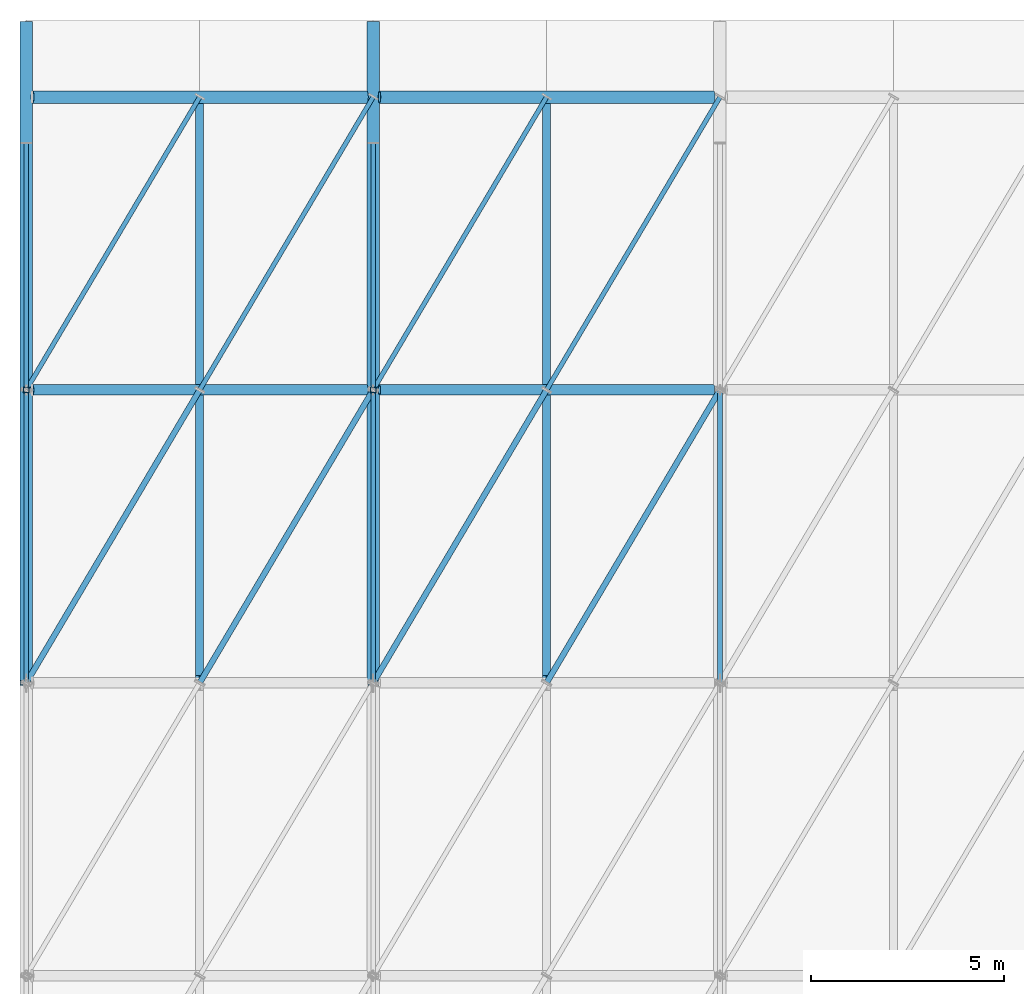
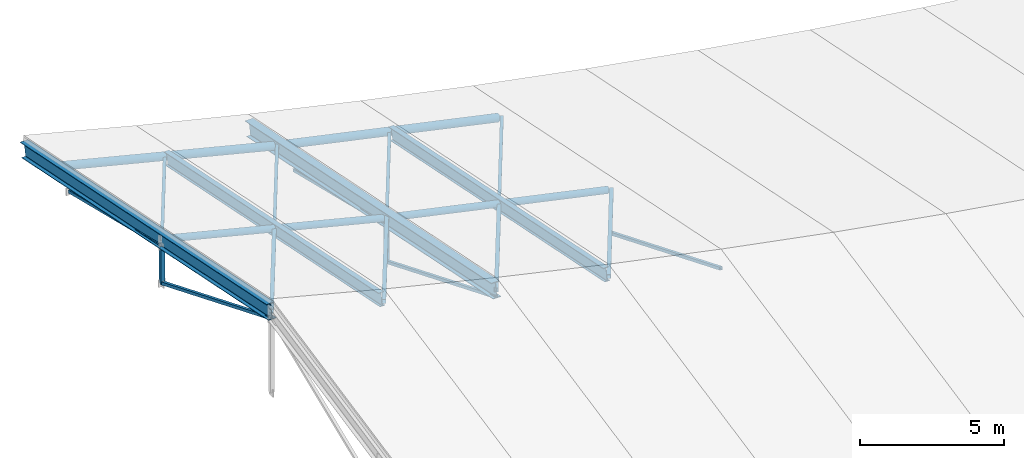
# One storey, part 6 of 21: 15 members, 8 beams.
"""IFC4 building model written with IfcOpenShell, lengths in metres."""

from ifc_helpers import new_model, si_unit, direction, frame, origin, origin_2d, place, context, subcontext, project, spatial, hollow_rectangle, hollow_circle, i_section, extrude, material, material_profile, profile_set, type_object, element, save


model = new_model("IFC4")

# Units and contexts
model_context = context("Model", 3, precision=1e-05, world=origin(), true_north=direction((0.0, 1.0)))
body_context = subcontext(model_context, "Body", "Model", "MODEL_VIEW")
ifc_project = project(units=[si_unit("LENGTHUNIT", "METRE"), si_unit("AREAUNIT", "SQUARE_METRE"), si_unit("VOLUMEUNIT", "CUBIC_METRE"), si_unit("PLANEANGLEUNIT", "RADIAN"), si_unit("MASSUNIT", "GRAM", prefix="KILO")], contexts=[model_context])

# Site, building, storey
site_placement = place(None, origin())
site = spatial("IfcSite", under=ifc_project, at=site_placement, CompositionType="ELEMENT")
building_placement = place(site_placement, origin())
building = spatial("IfcBuilding", under=site, at=building_placement, Name="Caisbarro Railhouse Central Library", CompositionType="ELEMENT")
storey_placement = place(building_placement, frame((0.0, 0.0, 26.639892578125)))
storey = spatial("IfcBuildingStorey", under=building, at=storey_placement, Name="RF", CompositionType="ELEMENT", Elevation=26.639892578125)

# Beams
ifc_material = material(Name="Steel ASTM A572 Grade 50", Category="steel")
ifc_material_profile_1 = material_profile(ifc_material, i_section(OverallWidth=0.324951171875, OverallDepth=0.615966796875, WebThickness=0.013916015625, FlangeThickness=0.021484375, FilletRadius=0.02197265625, at=origin_2d()), Name="W610X174.0")
ifc_profile_set_1 = profile_set([ifc_material_profile_1], Name="Steel ASTM A572 Grade 50")
beam_type_1 = type_object("IfcBeamType", Name="BM-G02", PredefinedType="BEAM", material=ifc_profile_set_1)
for number, where, z_axis, x_axis, name in (
    (1, (0.0, 45.60009765625, 2.39013671875), (0.0, 0.979828942298, -0.199838044013), (-1.0, 0.0, 0.0), "V1 Gridshell North Rafter X=0"),
    (2, (9.0, 45.60009765625, 0.14013671875), (0.0, 0.979828942298, -0.199838044013), (-1.0, 0.0, 0.0), "V1 Gridshell North Rafter X=9"),
):
    element("IfcBeam", number, at=place(storey_placement, frame(where, z_axis=z_axis, x_axis=x_axis)), inside=storey, type_object=beam_type_1, Name=name, PredefinedType="BEAM", context=body_context, shape_type="SweptSolid", body=[
        extrude(i_section(OverallWidth=0.324951171875, OverallDepth=0.615966796875, WebThickness=0.013916015625, FlangeThickness=0.021484375, FilletRadius=0.02197265625, at=origin_2d()), origin(), (0.0, 0.0, 1.0), 17.451904296875),
    ])
ifc_material_profile_2 = material_profile(ifc_material, i_section(OverallWidth=0.208984375, OverallDepth=0.532958984375, WebThickness=0.01025390625, FlangeThickness=0.015625, FilletRadius=0.02001953125, at=origin_2d()), Name="W530X92.0")
ifc_profile_set_2 = profile_set([ifc_material_profile_2], Name="Steel ASTM A572 Grade 50")
beam_type_2 = type_object("IfcBeamType", Name="BM-G06", PredefinedType="BEAM", material=ifc_profile_set_2)
for number, where, z_axis, x_axis, name in (
    (3, (4.5, 45.739990234375, 1.236572265625), (0.0, 0.979829287426, -0.199836351802), (-1.0, 0.0, 0.0), "V1 Gridshell Secondary Rafter North 1"),
    (4, (13.5, 45.739990234375, -0.863525390625), (0.0, 0.979832431979, -0.19982093294), (-1.0, 0.0, 0.0), "V1 Gridshell Secondary Rafter North 2"),
):
    element("IfcBeam", number, at=place(storey_placement, frame(where, z_axis=z_axis, x_axis=x_axis)), inside=storey, type_object=beam_type_2, Name=name, PredefinedType="BEAM", context=body_context, shape_type="SweptSolid", body=[
        extrude(i_section(OverallWidth=0.208984375, OverallDepth=0.532958984375, WebThickness=0.01025390625, FlangeThickness=0.015625, FilletRadius=0.02001953125, at=origin_2d()), origin(), (0.0, 0.0, 1.0), 15.20166015625),
    ])
ifc_material_profile_3 = material_profile(ifc_material, hollow_circle(Radius=0.161865234375, WallThickness=0.01611328125, at=origin_2d()), Name="CHS323.9X16.0")
ifc_profile_set_3 = profile_set([ifc_material_profile_3], Name="Steel ASTM A572 Grade 50")
beam_type_3 = type_object("IfcBeamType", Name="BM-RB01", PredefinedType="BEAM", material=ifc_profile_set_3)
beam_1_placement = place(storey_placement, frame((0.1650390625, 60.800048828125, -0.751220703125), z_axis=(0.970142500145, 0.0, -0.242535625036), x_axis=(0.0, 1.0, 0.0)))
element("IfcBeam", 5, at=beam_1_placement, inside=storey, type_object=beam_type_3, Name="V1 Gridshell Longitudinal Chord N01", PredefinedType="BEAM", context=body_context, shape_type="SweptSolid", body=[
    extrude(hollow_circle(Radius=0.161865234375, WallThickness=0.01611328125, at=origin_2d()), origin(), (0.0, 0.0, 1.0), 8.936767578125),
])
beam_2_placement = place(storey_placement, frame((9.1650390625, 60.800048828125, -2.99560546875), z_axis=(0.977324658803, 0.0, -0.211746337149), x_axis=(0.0, 1.0, 0.0)))
element("IfcBeam", 6, at=beam_2_placement, inside=storey, type_object=beam_type_3, Name="V1 Gridshell Longitudinal Chord N02", PredefinedType="BEAM", context=body_context, shape_type="SweptSolid", body=[
    extrude(hollow_circle(Radius=0.161865234375, WallThickness=0.01611328125, at=origin_2d()), origin(), (0.0, 0.0, 1.0), 8.87109375),
])
ifc_material_profile_4 = material_profile(ifc_material, hollow_circle(Radius=0.136474609375, WallThickness=0.012451171875, at=origin_2d()), Name="CHS273.0X12.5")
ifc_profile_set_4 = profile_set([ifc_material_profile_4], Name="Steel ASTM A572 Grade 50")
beam_type_4 = type_object("IfcBeamType", Name="BM-RB02", PredefinedType="BEAM", material=ifc_profile_set_4)
beam_3_placement = place(storey_placement, frame((0.1650390625, 53.199951171875, 0.798828125), z_axis=(0.970142500145, 0.0, -0.242535625036), x_axis=(0.0, 1.0, 0.0)))
element("IfcBeam", 7, at=beam_3_placement, inside=storey, type_object=beam_type_4, Name="V1 Gridshell Longitudinal Chord Q201", PredefinedType="BEAM", context=body_context, shape_type="SweptSolid", body=[
    extrude(hollow_circle(Radius=0.136474609375, WallThickness=0.012451171875, at=origin_2d()), origin(), (0.0, 0.0, 1.0), 8.936767578125),
])
beam_4_placement = place(storey_placement, frame((9.1650390625, 53.199951171875, -1.445556640625), z_axis=(0.977324658803, 0.0, -0.211746337149), x_axis=(0.0, 1.0, 0.0)))
element("IfcBeam", 8, at=beam_4_placement, inside=storey, type_object=beam_type_4, Name="V1 Gridshell Longitudinal Chord Q202", PredefinedType="BEAM", context=body_context, shape_type="SweptSolid", body=[
    extrude(hollow_circle(Radius=0.136474609375, WallThickness=0.012451171875, at=origin_2d()), origin(), (0.0, 0.0, 1.0), 8.87109375),
])

# Members
ifc_material_profile_5 = material_profile(ifc_material, hollow_rectangle(XDim=0.14990234375, YDim=0.14990234375, WallThickness=0.010009765625, at=origin_2d()), Name="HSS150X150X10")
ifc_profile_set_5 = profile_set([ifc_material_profile_5], Name="Steel ASTM A572 Grade 50")
member_type_1 = type_object("IfcMemberType", Name="MEM-GS01", PredefinedType="STRUT", material=ifc_profile_set_5)
for number, where, z_axis, x_axis, name in (
    (9, (0.0, 53.199951171875, -1.0078125), (0.0, 0.0, 1.0), (1.0, 0.0, 0.0), "V1 Gridshell QPN Strut 1"),
    (10, (9.0, 53.199951171875, -3.2578125), (0.0, 0.0, 1.0), (1.0, 0.0, 0.0), "V1 Gridshell QPN Strut 2"),
):
    element("IfcMember", number, at=place(storey_placement, frame(where, z_axis=z_axis, x_axis=x_axis)), inside=storey, type_object=member_type_1, Name=name, PredefinedType="STRUT", context=body_context, shape_type="SweptSolid", body=[
        extrude(hollow_rectangle(XDim=0.14990234375, YDim=0.14990234375, WallThickness=0.010009765625, at=origin_2d()), origin(), (0.0, 0.0, 1.0), 1.56494140625),
    ])
member_1_placement = place(storey_placement, frame((0.0, 45.60009765625, 2.39013671875), z_axis=(0.48704543472, 0.822549768738, -0.293596019161), x_axis=(-0.860471083771, 0.509499277717, 0.0)))
element("IfcMember", 11, at=member_1_placement, inside=storey, type_object=member_type_1, Name="V1 Gridshell Diagonal Strut 3", PredefinedType="STRUT", context=body_context, shape_type="SweptSolid", body=[
    extrude(hollow_rectangle(XDim=0.14990234375, YDim=0.14990234375, WallThickness=0.010009765625, at=origin_2d()), origin(), (0.0, 0.0, 1.0), 9.239501953125),
])
member_2_placement = place(storey_placement, frame((4.5, 45.60009765625, 1.2275390625), z_axis=(0.488197147599, 0.824494846333, -0.286132475343), x_axis=(-0.860471083771, 0.509499277717, 0.0)))
element("IfcMember", 12, at=member_2_placement, inside=storey, type_object=member_type_1, Name="V1 Gridshell Diagonal Strut 7", PredefinedType="STRUT", context=body_context, shape_type="SweptSolid", body=[
    extrude(hollow_rectangle(XDim=0.14990234375, YDim=0.14990234375, WallThickness=0.010009765625, at=origin_2d()), origin(), (0.0, 0.0, 1.0), 9.217529296875),
])
member_3_placement = place(storey_placement, frame((9.0, 45.60009765625, 0.14013671875), z_axis=(0.489320731905, 0.826392418808, -0.278640972335), x_axis=(-0.860471083771, 0.509499277717, 0.0)))
element("IfcMember", 13, at=member_3_placement, inside=storey, type_object=member_type_1, Name="V1 Gridshell Diagonal Strut 11", PredefinedType="STRUT", context=body_context, shape_type="SweptSolid", body=[
    extrude(hollow_rectangle(XDim=0.14990234375, YDim=0.14990234375, WallThickness=0.010009765625, at=origin_2d()), origin(), (0.0, 0.0, 1.0), 9.196533203125),
])
member_4_placement = place(storey_placement, frame((13.5, 45.60009765625, -0.872314453125), z_axis=(0.490419384981, 0.828247886018, -0.2710982592), x_axis=(-0.860471083771, 0.509499277717, 0.0)))
element("IfcMember", 14, at=member_4_placement, inside=storey, type_object=member_type_1, Name="V1 Gridshell Diagonal Strut 15", PredefinedType="STRUT", context=body_context, shape_type="SweptSolid", body=[
    extrude(hollow_rectangle(XDim=0.14990234375, YDim=0.14990234375, WallThickness=0.010009765625, at=origin_2d()), origin(), (0.0, 0.0, 1.0), 9.17578125),
])
ifc_material_profile_6 = material_profile(ifc_material, hollow_rectangle(XDim=0.1201171875, YDim=0.1201171875, WallThickness=0.008056640625, at=origin_2d()), Name="HSS120X120X8")
ifc_profile_set_6 = profile_set([ifc_material_profile_6], Name="Steel ASTM A572 Grade 50")
member_type_2 = type_object("IfcMemberType", Name="MEM-GS02", PredefinedType="STRUT", material=ifc_profile_set_6)
member_5_placement = place(storey_placement, frame((0.0, 59.60009765625, -1.0078125), z_axis=(0.0, -0.971382859831, 0.237519135286), x_axis=(1.0, 0.0, 0.0)))
element("IfcMember", 15, at=member_5_placement, inside=storey, type_object=member_type_2, Name="V1 Gridshell Truss Web DN1 1", PredefinedType="STRUT", context=body_context, shape_type="SweptSolid", body=[
    extrude(hollow_rectangle(XDim=0.1201171875, YDim=0.1201171875, WallThickness=0.008056640625, at=origin_2d()), origin(), (0.0, 0.0, 1.0), 6.588623046875),
])
member_6_placement = place(storey_placement, frame((0.0, 53.199951171875, -1.0078125), z_axis=(0.0, -0.925292485077, 0.379254290761), x_axis=(1.0, 0.0, 0.0)))
element("IfcMember", 16, at=member_6_placement, inside=storey, type_object=member_type_2, Name="V1 Gridshell Truss Web DN2 1", PredefinedType="STRUT", context=body_context, shape_type="SweptSolid", body=[
    extrude(hollow_rectangle(XDim=0.1201171875, YDim=0.1201171875, WallThickness=0.008056640625, at=origin_2d()), origin(), (0.0, 0.0, 1.0), 8.21337890625),
])
member_7_placement = place(storey_placement, frame((9.0, 59.60009765625, -3.2578125), z_axis=(0.0, -0.971382859831, 0.237519135286), x_axis=(1.0, 0.0, 0.0)))
element("IfcMember", 17, at=member_7_placement, inside=storey, type_object=member_type_2, Name="V1 Gridshell Truss Web DN1 2", PredefinedType="STRUT", context=body_context, shape_type="SweptSolid", body=[
    extrude(hollow_rectangle(XDim=0.1201171875, YDim=0.1201171875, WallThickness=0.008056640625, at=origin_2d()), origin(), (0.0, 0.0, 1.0), 6.588623046875),
])
member_8_placement = place(storey_placement, frame((9.0, 53.199951171875, -3.2578125), z_axis=(0.0, -0.925292485077, 0.379254290761), x_axis=(1.0, 0.0, 0.0)))
element("IfcMember", 18, at=member_8_placement, inside=storey, type_object=member_type_2, Name="V1 Gridshell Truss Web DN2 2", PredefinedType="STRUT", context=body_context, shape_type="SweptSolid", body=[
    extrude(hollow_rectangle(XDim=0.1201171875, YDim=0.1201171875, WallThickness=0.008056640625, at=origin_2d()), origin(), (0.0, 0.0, 1.0), 8.21337890625),
])
member_9_placement = place(storey_placement, frame((18.0, 53.199951171875, -5.2080078125), z_axis=(0.0, -0.925282053905, 0.379279739402), x_axis=(1.0, 0.0, 0.0)))
element("IfcMember", 19, at=member_9_placement, inside=storey, type_object=member_type_2, Name="V1 Gridshell Truss Web DN2 3", PredefinedType="STRUT", context=body_context, shape_type="SweptSolid", body=[
    extrude(hollow_rectangle(XDim=0.1201171875, YDim=0.1201171875, WallThickness=0.008056640625, at=origin_2d()), origin(), (0.0, 0.0, 1.0), 8.213623046875),
])
member_10_placement = place(storey_placement, frame((0.0, 53.199951171875, 0.840087890625), z_axis=(0.487038627077, 0.822564695144, -0.293565491906), x_axis=(-0.860478259115, 0.509487159397, 0.0)))
element("IfcMember", 20, at=member_10_placement, inside=storey, type_object=member_type_2, Name="V1 Gridshell Diagonal Strut 4", PredefinedType="STRUT", context=body_context, shape_type="SweptSolid", body=[
    extrude(hollow_rectangle(XDim=0.1201171875, YDim=0.1201171875, WallThickness=0.008056640625, at=origin_2d()), origin(), (0.0, 0.0, 1.0), 9.239501953125),
])
member_11_placement = place(storey_placement, frame((4.5, 53.199951171875, -0.322509765625), z_axis=(0.48818648658, 0.824503327216, -0.286126226917), x_axis=(-0.860478259115, 0.509487159397, 0.0)))
element("IfcMember", 21, at=member_11_placement, inside=storey, type_object=member_type_2, Name="V1 Gridshell Diagonal Strut 8", PredefinedType="STRUT", context=body_context, shape_type="SweptSolid", body=[
    extrude(hollow_rectangle(XDim=0.1201171875, YDim=0.1201171875, WallThickness=0.008056640625, at=origin_2d()), origin(), (0.0, 0.0, 1.0), 9.2177734375),
])
member_12_placement = place(storey_placement, frame((9.0, 53.199951171875, -1.409912109375), z_axis=(0.48930999711, 0.826400836047, -0.278634859465), x_axis=(-0.860478259115, 0.509487159397, 0.0)))
element("IfcMember", 22, at=member_12_placement, inside=storey, type_object=member_type_2, Name="V1 Gridshell Diagonal Strut 12", PredefinedType="STRUT", context=body_context, shape_type="SweptSolid", body=[
    extrude(hollow_rectangle(XDim=0.1201171875, YDim=0.1201171875, WallThickness=0.008056640625, at=origin_2d()), origin(), (0.0, 0.0, 1.0), 9.196533203125),
])
member_13_placement = place(storey_placement, frame((13.5, 53.199951171875, -2.42236328125), z_axis=(0.490408577718, 0.82825624047, -0.271092285068), x_axis=(-0.860478259115, 0.509487159397, 0.0)))
element("IfcMember", 23, at=member_13_placement, inside=storey, type_object=member_type_2, Name="V1 Gridshell Diagonal Strut 16", PredefinedType="STRUT", context=body_context, shape_type="SweptSolid", body=[
    extrude(hollow_rectangle(XDim=0.1201171875, YDim=0.1201171875, WallThickness=0.008056640625, at=origin_2d()), origin(), (0.0, 0.0, 1.0), 9.176025390625),
])

save(model, "model.ifc")
